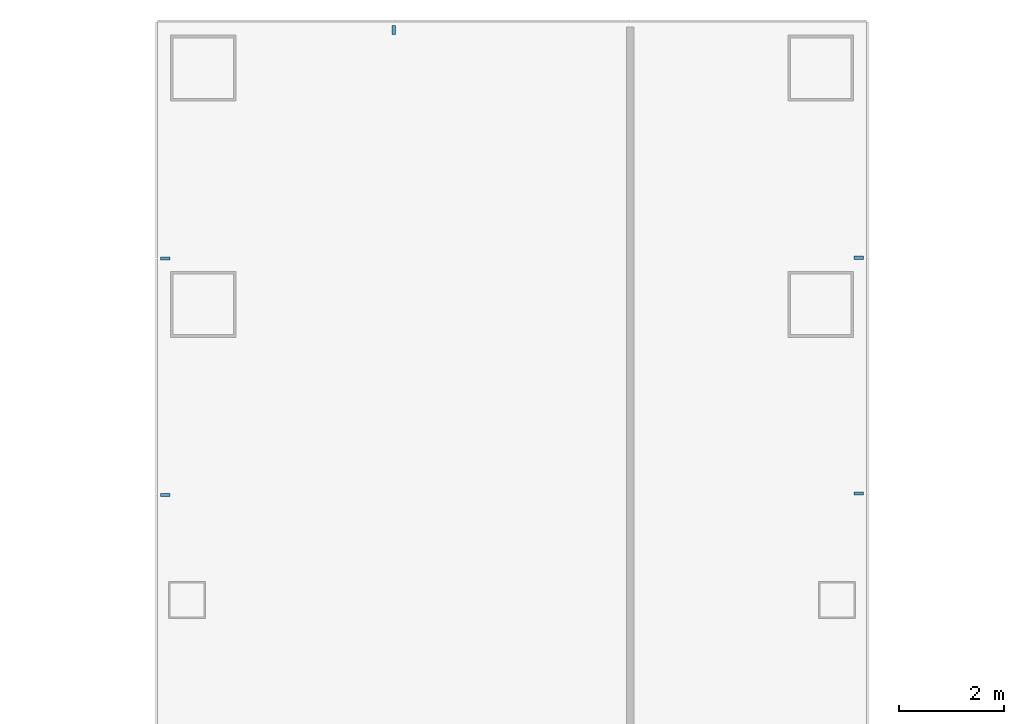
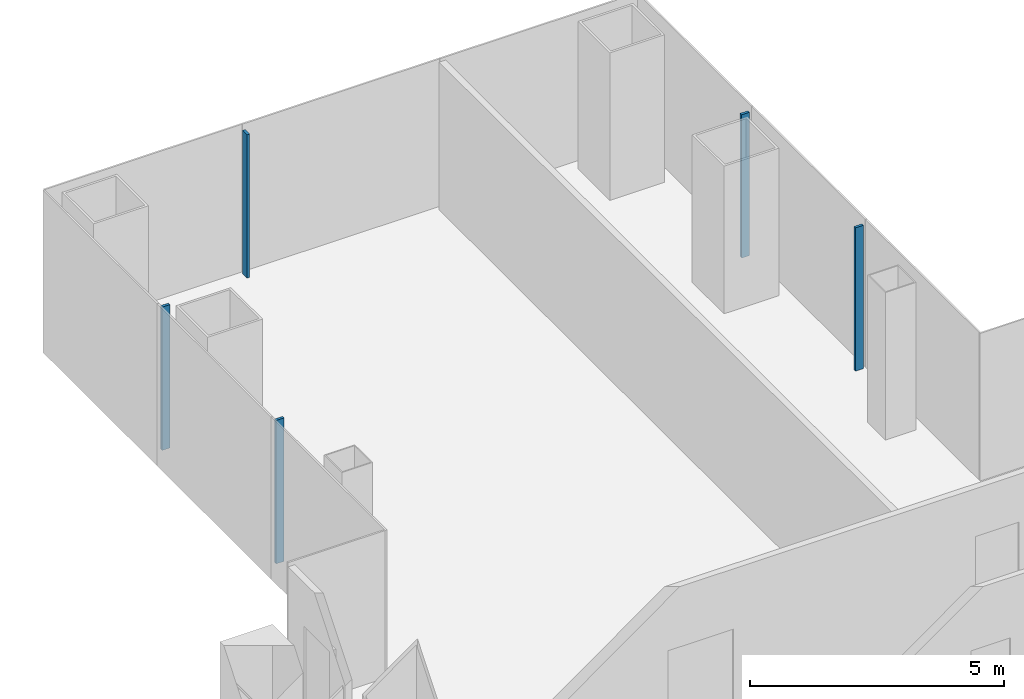
# One storey, part 7 of 19: 5 members, 3 elements without a shape of their own.
"""IFC4 building model written with IfcOpenShell, lengths in metres."""

from ifc_helpers import new_model, si_unit, direction, frame, origin, origin_2d, place, context, subcontext, project, spatial, rectangle, extrude, material, layer, layer_set, material_profile, profile_set, type_object, element, aggregate, save


model = new_model("IFC4")

# Units and contexts
model_context = context("Model", 3, precision=1e-05, world=origin(), true_north=direction((0.0, 1.0)))
body_context = subcontext(model_context, "Body", "Model", "MODEL_VIEW")
ifc_project = project(units=[si_unit("LENGTHUNIT", "METRE"), si_unit("AREAUNIT", "SQUARE_METRE"), si_unit("VOLUMEUNIT", "CUBIC_METRE"), si_unit("PLANEANGLEUNIT", "RADIAN"), si_unit("MASSUNIT", "GRAM", prefix="KILO")], contexts=[model_context])

# Site, building, storey
site_placement = place(None, origin())
site = spatial("IfcSite", under=ifc_project, at=site_placement, CompositionType="ELEMENT")
building_placement = place(site_placement, origin())
building = spatial("IfcBuilding", under=site, at=building_placement, Name="Shamsa Quay Exchange Towers", CompositionType="ELEMENT")
storey_placement = place(building_placement, frame((0.0, 0.0, 97.5)))
storey = spatial("IfcBuildingStorey", under=building, at=storey_placement, Name="L22", CompositionType="ELEMENT", Elevation=97.5)

# Curtain wall, members
ifc_material = material(Name="Aluminium EN AW-6063 T6, black anodised", Category="aluminium")
ifc_layer = layer(ifc_material, 0.280029296875)
ifc_layer_set = layer_set([ifc_layer], Name="CW-1 UNITISED VISION GLASS")
curtain_wall_type = type_object("IfcCurtainWallType", Name="CW-1 UNITISED VISION GLASS", PredefinedType="NOTDEFINED", material=ifc_layer_set)
curtain_wall_1_placement = place(storey_placement, origin())
curtain_wall_1 = element("IfcCurtainWall", 1, at=curtain_wall_1_placement, inside=storey, type_object=curtain_wall_type, Name="CW1 T2-FLK-U+S L22", PredefinedType="NOTDEFINED")
ifc_material_profile = material_profile(ifc_material, rectangle(XDim=0.179931640625, YDim=0.06005859375, at=origin_2d()), Name="MU60x180")
ifc_profile_set = profile_set([ifc_material_profile], Name="Aluminium EN AW-6063 T6, black anodised")
member_type = type_object("IfcMemberType", Name="CW1 MULLION 60x180", PredefinedType="MULLION", material=ifc_profile_set)
member_1_placement = place(storey_placement, frame((40.35009765625, 15.775390625, 0.0), z_axis=(0.0, 0.0, 1.0), x_axis=(-1.0, 0.0, 0.0)))
member_1 = element("IfcMember", 2, at=member_1_placement, type_object=member_type, Name="CW1 mullion", PredefinedType="MULLION", context=body_context, shape_type="SweptSolid", body=[
    extrude(rectangle(XDim=0.179931640625, YDim=0.06005859375, at=origin_2d()), origin(), (0.0, 0.0, 1.0), 3.449951171875),
])
member_2_placement = place(storey_placement, frame((40.35009765625, 20.2626953125, 0.0), z_axis=(0.0, 0.0, 1.0), x_axis=(-1.0, 0.0, 0.0)))
member_2 = element("IfcMember", 3, at=member_2_placement, type_object=member_type, Name="CW1 mullion", PredefinedType="MULLION", context=body_context, shape_type="SweptSolid", body=[
    extrude(rectangle(XDim=0.179931640625, YDim=0.06005859375, at=origin_2d()), origin(), (0.0, 0.0, 1.0), 3.449951171875),
])
aggregate(curtain_wall_1, [member_1, member_2])

# Curtain wall, member
curtain_wall_2_placement = place(storey_placement, origin())
curtain_wall_2 = element("IfcCurtainWall", 4, at=curtain_wall_2_placement, inside=storey, type_object=curtain_wall_type, Name="CW1 T2-END-U+ L22", PredefinedType="NOTDEFINED")
member_3_placement = place(storey_placement, frame((31.5, 24.60009765625, 0.0), z_axis=(0.0, 0.0, 1.0), x_axis=(0.0, -1.0, 0.0)))
member_3 = element("IfcMember", 5, at=member_3_placement, type_object=member_type, Name="CW1 mullion", PredefinedType="MULLION", context=body_context, shape_type="SweptSolid", body=[
    extrude(rectangle(XDim=0.179931640625, YDim=0.06005859375, at=origin_2d()), origin(), (0.0, 0.0, 1.0), 3.449951171875),
])
aggregate(curtain_wall_2, [member_3])

# Curtain wall, members
curtain_wall_3_placement = place(storey_placement, origin())
curtain_wall_3 = element("IfcCurtainWall", 6, at=curtain_wall_3_placement, inside=storey, type_object=curtain_wall_type, Name="CW1 T2-FLK-U+N L22", PredefinedType="NOTDEFINED")
member_4_placement = place(storey_placement, frame((27.14990234375, 20.25, 0.0)))
member_4 = element("IfcMember", 7, at=member_4_placement, type_object=member_type, Name="CW1 mullion", PredefinedType="MULLION", context=body_context, shape_type="SweptSolid", body=[
    extrude(rectangle(XDim=0.179931640625, YDim=0.06005859375, at=origin_2d()), origin(), (0.0, 0.0, 1.0), 3.449951171875),
])
member_5_placement = place(storey_placement, frame((27.14990234375, 15.75, 0.0)))
member_5 = element("IfcMember", 8, at=member_5_placement, type_object=member_type, Name="CW1 mullion", PredefinedType="MULLION", context=body_context, shape_type="SweptSolid", body=[
    extrude(rectangle(XDim=0.179931640625, YDim=0.06005859375, at=origin_2d()), origin(), (0.0, 0.0, 1.0), 3.449951171875),
])
aggregate(curtain_wall_3, [member_4, member_5])

save(model, "model.ifc")
